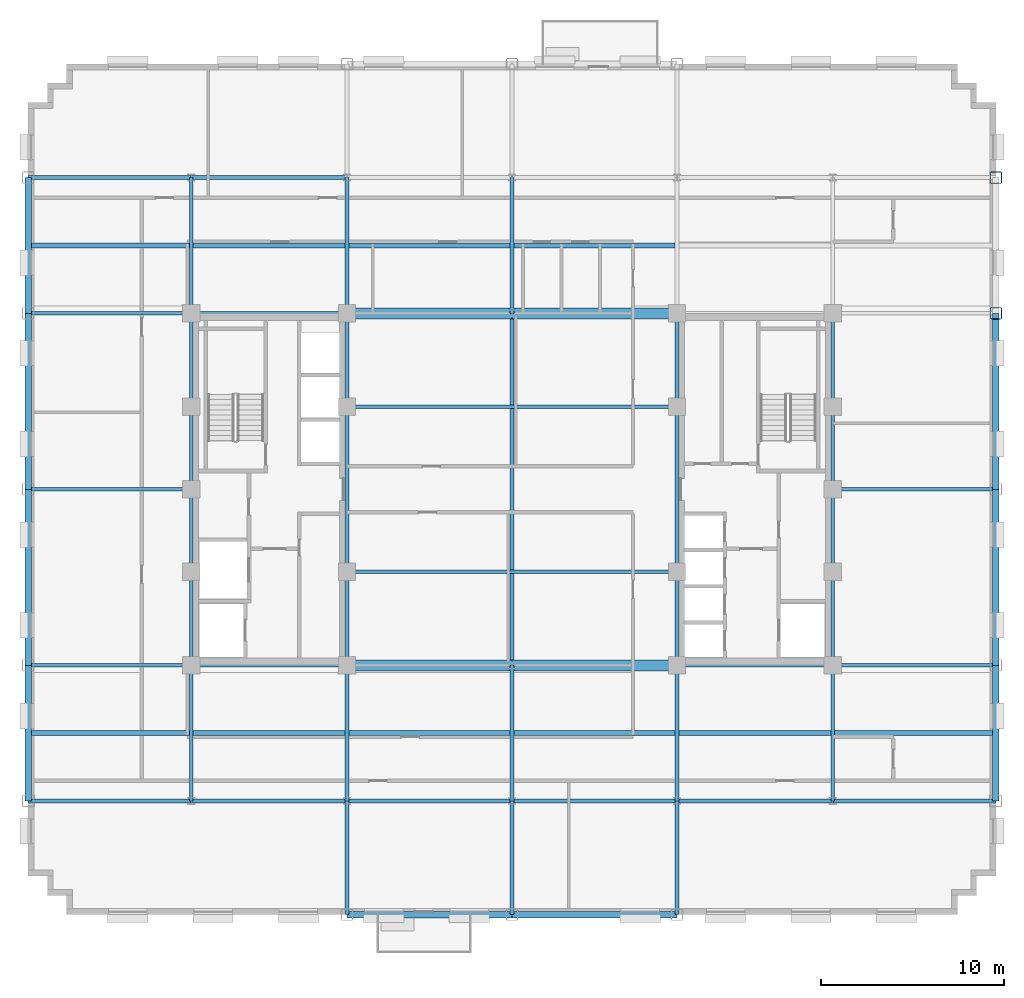
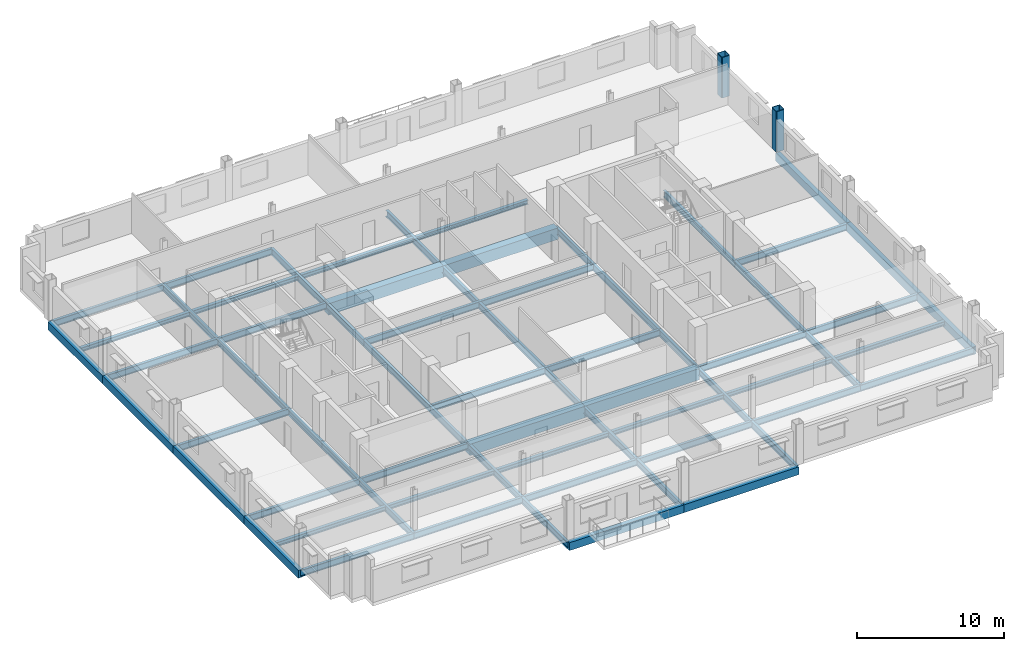
# One storey, part 4 of 14: 67 beams, 2 columns.
"""IFC4 building model written with IfcOpenShell, lengths in metres."""

import ifcopenshell
import ifcopenshell.guid

model = None  # the IFC model being written
_history = None  # IfcOwnerHistory: only IFC2X3 demands one
_inside = {}  # id of a spatial element -> (the spatial element, [elements in it])
_under = {}  # id of a project, library or spatial element -> (it, [spatial elements below it])
_declared = {}  # id of a project -> (the project, [libraries it declares])
_typed = {}  # id of a type object -> (the type object, [elements of that type])
_made_of = {}  # id of a material, layer set ... -> (it, [elements and type objects made of it])


def new_model(schema):
    """Start an empty IFC model of exactly this schema.

    Asked for "IFC4X3", IfcOpenShell would pick the latest addendum, in which some entities
    have other attributes; the version numbers below select the first issue.
    IFC2X3 requires an IfcOwnerHistory on every rooted entity: one is made here for all.
    """
    global model, _history
    if schema == "IFC4X3":
        model = ifcopenshell.file(schema_version=(4, 3, 0, 0))
    else:
        model = ifcopenshell.file(schema=schema)
    _inside.clear()
    _under.clear()
    _declared.clear()
    _typed.clear()
    _made_of.clear()
    _history = None
    if model.schema == "IFC2X3":
        org = make("IfcOrganization", Name="unknown")
        user = make(
            "IfcPersonAndOrganization",
            ThePerson=make("IfcPerson", FamilyName="unknown"),
            TheOrganization=org,
        )
        app = make(
            "IfcApplication",
            ApplicationDeveloper=org,
            Version="unknown",
            ApplicationFullName="unknown",
            ApplicationIdentifier="unknown",
        )
        _history = make(
            "IfcOwnerHistory",
            OwningUser=user,
            OwningApplication=app,
            ChangeAction="ADDED",
            CreationDate=0,
        )
    return model


def make(cls, **values):
    """One entity of the class cls with the attributes given. An attribute that is None is left unset."""
    return model.create_entity(
        cls, **{name: value for name, value in values.items() if value is not None}
    )


def rooted(cls, **values):
    """An entity with a GlobalId (a new one), such as an element, a storey or a relation."""
    return make(cls, GlobalId=ifcopenshell.guid.new(), OwnerHistory=_history, **values)


def si_unit(unit_type, name, prefix=None):
    """IfcSIUnit, for example si_unit("LENGTHUNIT", "METRE", prefix="MILLI")."""
    return make("IfcSIUnit", UnitType=unit_type, Prefix=prefix, Name=name)


def assignment(units):
    """IfcUnitAssignment: the units of a project."""
    return None if units is None else make("IfcUnitAssignment", Units=units)


def point(xyz):
    """IfcCartesianPoint."""
    return None if xyz is None else make("IfcCartesianPoint", Coordinates=xyz)


def direction(xyz):
    """IfcDirection."""
    return None if xyz is None else make("IfcDirection", DirectionRatios=xyz)


def frame(location, z_axis=None, x_axis=None):
    """IfcAxis2Placement3D, a coordinate frame: its origin and axes. An axis left out is left unset."""
    return make(
        "IfcAxis2Placement3D",
        Location=point(location),
        Axis=direction(z_axis),
        RefDirection=direction(x_axis),
    )


def frame_2d(location, x_axis=None):
    """IfcAxis2Placement2D, a coordinate frame in the plane: its origin and x axis."""
    return make(
        "IfcAxis2Placement2D", Location=point(location), RefDirection=direction(x_axis)
    )


def origin():
    """The frame at (0, 0, 0) with its axes left unset."""
    return frame((0.0, 0.0, 0.0))


def origin_2d():
    """The frame at (0, 0) in the plane with its x axis left unset."""
    return frame_2d((0.0, 0.0))


def place(relative_to, where):
    """IfcLocalPlacement: puts the frame where relative to a parent placement (None: the world)."""
    return make(
        "IfcLocalPlacement", PlacementRelTo=relative_to, RelativePlacement=where
    )


def context(
    kind, dimensions, precision=None, world=None, true_north=None, identifier=None
):
    """IfcGeometricRepresentationContext, for example the 3D "Model" context."""
    return make(
        "IfcGeometricRepresentationContext",
        ContextIdentifier=identifier,
        ContextType=kind,
        CoordinateSpaceDimension=dimensions,
        Precision=precision,
        WorldCoordinateSystem=world,
        TrueNorth=true_north,
    )


def subcontext(parent, identifier, kind, view, scale=None):
    """IfcGeometricRepresentationSubContext, for example "Body" below "Model"."""
    return make(
        "IfcGeometricRepresentationSubContext",
        ContextIdentifier=identifier,
        ContextType=kind,
        ParentContext=parent,
        TargetScale=scale,
        TargetView=view,
    )


def project(units=None, contexts=None):
    """IfcProject with its units and contexts."""
    return rooted(
        "IfcProject",
        Name="project",
        RepresentationContexts=contexts,
        UnitsInContext=assignment(units),
    )


def spatial(cls, under=None, at=None, **own):
    """A site, building, storey or space (cls), placed at a placement, below another one or the project."""
    s = rooted(cls, ObjectPlacement=at, **own)
    if under is not None:
        _under.setdefault(under.id(), (under, []))[1].append(s)
    return s


def profile(cls, at=None, kind="AREA", **sizes):
    """A parametric profile (cls). Its sizes go by their IFC names, for example OverallWidth=200.0."""
    return make(cls, ProfileType=kind, Position=at, **sizes)


def rectangle(**sizes):
    """IfcRectangleProfileDef."""
    return profile("IfcRectangleProfileDef", **sizes)


def hollow_rectangle(**sizes):
    """IfcRectangleHollowProfileDef."""
    return profile("IfcRectangleHollowProfileDef", **sizes)


def i_section(**sizes):
    """IfcIShapeProfileDef."""
    return profile("IfcIShapeProfileDef", **sizes)


def extrude(swept, where, along, depth):
    """IfcExtrudedAreaSolid: the profile swept, set in the frame where, extruded along a direction by depth."""
    return make(
        "IfcExtrudedAreaSolid",
        SweptArea=swept,
        Position=where,
        ExtrudedDirection=direction(along),
        Depth=depth,
    )


def shape(context_of_items, identifier, shape_type, items):
    """IfcShapeRepresentation: the items that make up one representation, for example the "Body"."""
    return make(
        "IfcShapeRepresentation",
        ContextOfItems=context_of_items,
        RepresentationIdentifier=identifier,
        RepresentationType=shape_type,
        Items=items,
    )


def material(Name=None, Category=None):
    """IfcMaterial."""
    return make("IfcMaterial", Name=Name, Category=Category)


def material_profile(
    of_material, cross_section, Name=None, Category=None, Priority=None
):
    """IfcMaterialProfile: a cross section and its material."""
    return make(
        "IfcMaterialProfile",
        Name=Name,
        Material=of_material,
        Profile=cross_section,
        Priority=Priority,
        Category=Category,
    )


def profile_set(profiles, Name=None, composite=None):
    """IfcMaterialProfileSet."""
    return make(
        "IfcMaterialProfileSet",
        Name=Name,
        MaterialProfiles=profiles,
        CompositeProfile=composite,
    )


def made_of(thing, what):
    """Note that an element or type object is made of a material, layer set ...; save() writes the relation."""
    if what is not None:
        _made_of.setdefault(what.id(), (what, []))[1].append(thing)
    return thing


def type_object(cls, material=None, **own):
    """A type object (cls), such as IfcWallType, which elements share."""
    return made_of(rooted(cls, **own), material)


def element(
    cls,
    number,
    at=None,
    inside=None,
    cuts=None,
    type_object=None,
    material=None,
    context=None,
    identifier="Body",
    shape_type=None,
    held_by="IfcProductDefinitionShape",
    body=None,
    shapes=None,
    **own,
):
    """One element of the class cls, such as IfcWall. Its Tag is "e" and its number.

    at: its placement. inside: the storey or other place that contains it. cuts: it is an
    opening in that element (IfcRelVoidsElement). A single representation is given by context,
    identifier, shape_type and body (its items); several are given by shapes. held_by: the class
    of the entity that holds the representations. save() writes the other relations.
    """
    e = rooted(cls, Tag="e%d" % number, ObjectPlacement=at, **own)
    if body is not None:
        shapes = [shape(context, identifier, shape_type, body)]
    if shapes is not None:
        e.Representation = make(held_by, Representations=shapes)
    if inside is not None:
        _inside.setdefault(inside.id(), (inside, []))[1].append(e)
    if cuts is not None:
        rooted(
            "IfcRelVoidsElement", RelatingBuildingElement=cuts, RelatedOpeningElement=e
        )
    if type_object is not None:
        _typed.setdefault(type_object.id(), (type_object, []))[1].append(e)
    return made_of(e, material)


def aggregate(whole, parts):
    """IfcRelAggregates: a whole, such as a stair, and the parts it consists of."""
    return rooted("IfcRelAggregates", RelatingObject=whole, RelatedObjects=parts)


def save(model, path):
    """Write the relations noted so far, then the file.

    IfcRelAggregates (storeys below a building ...), IfcRelContainedInSpatialStructure (elements
    in a storey), IfcRelDefinesByType, IfcRelAssociatesMaterial and IfcRelDeclares: one each for
    every whole, place, type object, material and project.
    """
    for whole, parts in _under.values():
        aggregate(whole, parts)
    for where, things in _inside.values():
        rooted(
            "IfcRelContainedInSpatialStructure",
            RelatedElements=things,
            RelatingStructure=where,
        )
    for kind, things in _typed.values():
        rooted("IfcRelDefinesByType", RelatedObjects=things, RelatingType=kind)
    for what, things in _made_of.values():
        rooted("IfcRelAssociatesMaterial", RelatedObjects=things, RelatingMaterial=what)
    for by, libraries in _declared.values():
        rooted("IfcRelDeclares", RelatingContext=by, RelatedDefinitions=libraries)
    model.write(path)


model = new_model("IFC4")

# Units and contexts
model_context = context("Model", 3, precision=1e-05, world=origin(), true_north=direction((0.0, 1.0)))
body_context = subcontext(model_context, "Body", "Model", "MODEL_VIEW")
ifc_project = project(units=[si_unit("LENGTHUNIT", "METRE"), si_unit("AREAUNIT", "SQUARE_METRE"), si_unit("VOLUMEUNIT", "CUBIC_METRE"), si_unit("PLANEANGLEUNIT", "RADIAN"), si_unit("MASSUNIT", "GRAM", prefix="KILO")], contexts=[model_context])

# Site, building, storey
site_placement = place(None, origin())
site = spatial("IfcSite", under=ifc_project, at=site_placement, CompositionType="ELEMENT")
building_placement = place(site_placement, origin())
building = spatial("IfcBuilding", under=site, at=building_placement, Name="Nuvemarco Arch Tower", CompositionType="ELEMENT")
storey_placement = place(building_placement, frame((0.0, 0.0, 145.75)))
storey = spatial("IfcBuildingStorey", under=building, at=storey_placement, Name="L38", CompositionType="ELEMENT", Elevation=145.75)

# Columns
ifc_material_1 = material(Name="Steel S355", Category="steel")
ifc_material_profile_1 = material_profile(ifc_material_1, hollow_rectangle(XDim=0.64990234375, YDim=0.64990234375, WallThickness=0.0400390625, InnerFilletRadius=0.0400390625, OuterFilletRadius=0.080078125, at=origin_2d()), Name="SHS650x650x40")
ifc_profile_set_1 = profile_set([ifc_material_profile_1], Name="Steel S355")
column_type = type_object("IfcColumnType", Name="COL-EXO-650", PredefinedType="COLUMN", material=ifc_profile_set_1)
for number, where, z_axis, x_axis, name in (
    (1, (26.39990234375, 9.60009765625, 0.0), (0.0, 0.0, 1.0), (1.0, 0.0, 0.0), "L38 column CX_+26.4_+9.6"),
    (2, (26.39990234375, 17.0, 0.0), (0.0, 0.0, 1.0), (1.0, 0.0, 0.0), "L38 column CX_+26.4_+17.0"),
):
    element("IfcColumn", number, at=place(storey_placement, frame(where, z_axis=z_axis, x_axis=x_axis)), inside=storey, type_object=column_type, Name=name, PredefinedType="COLUMN", context=body_context, shape_type="SweptSolid", body=[
        extrude(hollow_rectangle(XDim=0.64990234375, YDim=0.64990234375, WallThickness=0.0400390625, InnerFilletRadius=0.0400390625, OuterFilletRadius=0.080078125, at=origin_2d()), origin(), (0.0, 0.0, 1.0), 3.3701171875),
    ])

# Beams
ifc_material_2 = material(Name="Concrete C60/75", Category="concrete")
ifc_material_profile_2 = material_profile(ifc_material_2, rectangle(XDim=0.60009765625, YDim=0.949951171875, at=origin_2d()), Name="RC-BM-600x950")
ifc_profile_set_2 = profile_set([ifc_material_profile_2], Name="Concrete C60/75")
beam_type_1 = type_object("IfcBeamType", Name="BM-COUP-RC", PredefinedType="LINTEL", material=ifc_profile_set_2)
for number, where, z_axis, x_axis, name in (
    (3, (-9.0, -9.60009765625, -0.7548828125), (1.0, 0.0, 0.0), (0.0, 1.0, 0.0), "L38 structural beam BGEW_L38_0_-9.6_-9.0"),
    (4, (0.0, -9.60009765625, -0.7548828125), (1.0, 0.0, 0.0), (0.0, 1.0, 0.0), "L38 structural beam BGEW_L38_0_-9.6_+0.0"),
    (5, (-9.0, 9.60009765625, -0.7548828125), (1.0, 0.0, 0.0), (0.0, 1.0, 0.0), "L38 structural beam BGEW_L38_0_+9.6_-9.0"),
    (6, (0.0, 9.60009765625, -0.7548828125), (1.0, 0.0, 0.0), (0.0, 1.0, 0.0), "L38 structural beam BGEW_L38_0_+9.6_+0.0"),
):
    element("IfcBeam", number, at=place(storey_placement, frame(where, z_axis=z_axis, x_axis=x_axis)), inside=storey, type_object=beam_type_1, Name=name, PredefinedType="LINTEL", context=body_context, shape_type="SweptSolid", body=[
        extrude(rectangle(XDim=0.60009765625, YDim=0.949951171875, at=origin_2d()), origin(), (0.0, 0.0, 1.0), 9.0),
    ])
ifc_material_profile_3 = material_profile(ifc_material_1, i_section(OverallWidth=0.2109375, OverallDepth=0.5390625, WebThickness=0.01171875, FlangeThickness=0.018798828125, FilletRadius=0.01611328125, at=origin_2d()), Name="W530x109")
ifc_profile_set_3 = profile_set([ifc_material_profile_3], Name="Steel S355")
beam_type_2 = type_object("IfcBeamType", Name="BM-GIRD-530", PredefinedType="BEAM", material=ifc_profile_set_3)
beam_1_placement = place(storey_placement, frame((-17.5, -17.0, -0.549560546875), z_axis=(0.0, 1.0, 0.0), x_axis=(-1.0, 0.0, 0.0)))
element("IfcBeam", 7, at=beam_1_placement, inside=storey, type_object=beam_type_2, Name="L38 structural beam BGNS_L38_0_-17.5_-17.0", PredefinedType="BEAM", context=body_context, shape_type="SweptSolid", body=[
    extrude(i_section(OverallWidth=0.2109375, OverallDepth=0.5390625, WebThickness=0.01171875, FlangeThickness=0.018798828125, FilletRadius=0.01611328125, at=origin_2d()), origin(), (0.0, 0.0, 1.0), 7.39990234375),
])
beam_2_placement = place(storey_placement, frame((-17.5, -9.60009765625, -0.549560546875), z_axis=(0.0, 1.0, 0.0), x_axis=(-1.0, 0.0, 0.0)))
element("IfcBeam", 8, at=beam_2_placement, inside=storey, type_object=beam_type_2, Name="L38 structural beam BGNS_L38_0_-17.5_-9.6", PredefinedType="BEAM", context=body_context, shape_type="SweptSolid", body=[
    extrude(i_section(OverallWidth=0.2109375, OverallDepth=0.5390625, WebThickness=0.01171875, FlangeThickness=0.018798828125, FilletRadius=0.01611328125, at=origin_2d()), origin(), (0.0, 0.0, 1.0), 5.10009765625),
])
for number, where, z_axis, x_axis, name in (
    (9, (-17.5, -4.5, -0.549560546875), (0.0, 1.0, 0.0), (-1.0, 0.0, 0.0), "L38 structural beam BGNS_L38_0_-17.5_-4.5"),
    (10, (-17.5, 0.0, -0.549560546875), (0.0, 1.0, 0.0), (-1.0, 0.0, 0.0), "L38 structural beam BGNS_L38_0_-17.5_+0.0"),
):
    element("IfcBeam", number, at=place(storey_placement, frame(where, z_axis=z_axis, x_axis=x_axis)), inside=storey, type_object=beam_type_2, Name=name, PredefinedType="BEAM", context=body_context, shape_type="SweptSolid", body=[
        extrude(i_section(OverallWidth=0.2109375, OverallDepth=0.5390625, WebThickness=0.01171875, FlangeThickness=0.018798828125, FilletRadius=0.01611328125, at=origin_2d()), origin(), (0.0, 0.0, 1.0), 4.5),
    ])
beam_3_placement = place(storey_placement, frame((-17.5, 4.5, -0.549560546875), z_axis=(0.0, 1.0, 0.0), x_axis=(-1.0, 0.0, 0.0)))
element("IfcBeam", 11, at=beam_3_placement, inside=storey, type_object=beam_type_2, Name="L38 structural beam BGNS_L38_0_-17.5_+4.5", PredefinedType="BEAM", context=body_context, shape_type="SweptSolid", body=[
    extrude(i_section(OverallWidth=0.2109375, OverallDepth=0.5390625, WebThickness=0.01171875, FlangeThickness=0.018798828125, FilletRadius=0.01611328125, at=origin_2d()), origin(), (0.0, 0.0, 1.0), 5.10009765625),
])
beam_4_placement = place(storey_placement, frame((-17.5, 9.60009765625, -0.549560546875), z_axis=(0.0, 1.0, 0.0), x_axis=(-1.0, 0.0, 0.0)))
element("IfcBeam", 12, at=beam_4_placement, inside=storey, type_object=beam_type_2, Name="L38 structural beam BGNS_L38_0_-17.5_+9.6", PredefinedType="BEAM", context=body_context, shape_type="SweptSolid", body=[
    extrude(i_section(OverallWidth=0.2109375, OverallDepth=0.5390625, WebThickness=0.01171875, FlangeThickness=0.018798828125, FilletRadius=0.01611328125, at=origin_2d()), origin(), (0.0, 0.0, 1.0), 7.39990234375),
])
beam_5_placement = place(storey_placement, frame((-9.0, -23.199951171875, -0.549560546875), z_axis=(0.0, 1.0, 0.0), x_axis=(-1.0, 0.0, 0.0)))
element("IfcBeam", 13, at=beam_5_placement, inside=storey, type_object=beam_type_2, Name="L38 structural beam BGNS_L38_0_-9.0_-23.2", PredefinedType="BEAM", context=body_context, shape_type="SweptSolid", body=[
    extrude(i_section(OverallWidth=0.2109375, OverallDepth=0.5390625, WebThickness=0.01171875, FlangeThickness=0.018798828125, FilletRadius=0.01611328125, at=origin_2d()), origin(), (0.0, 0.0, 1.0), 6.199951171875),
])
beam_6_placement = place(storey_placement, frame((-9.0, -17.0, -0.549560546875), z_axis=(0.0, 1.0, 0.0), x_axis=(-1.0, 0.0, 0.0)))
element("IfcBeam", 14, at=beam_6_placement, inside=storey, type_object=beam_type_2, Name="L38 structural beam BGNS_L38_0_-9.0_-17.0", PredefinedType="BEAM", context=body_context, shape_type="SweptSolid", body=[
    extrude(i_section(OverallWidth=0.2109375, OverallDepth=0.5390625, WebThickness=0.01171875, FlangeThickness=0.018798828125, FilletRadius=0.01611328125, at=origin_2d()), origin(), (0.0, 0.0, 1.0), 7.39990234375),
])
beam_7_placement = place(storey_placement, frame((-9.0, -9.60009765625, -0.549560546875), z_axis=(0.0, 1.0, 0.0), x_axis=(-1.0, 0.0, 0.0)))
element("IfcBeam", 15, at=beam_7_placement, inside=storey, type_object=beam_type_2, Name="L38 structural beam BGNS_L38_0_-9.0_-9.6", PredefinedType="BEAM", context=body_context, shape_type="SweptSolid", body=[
    extrude(i_section(OverallWidth=0.2109375, OverallDepth=0.5390625, WebThickness=0.01171875, FlangeThickness=0.018798828125, FilletRadius=0.01611328125, at=origin_2d()), origin(), (0.0, 0.0, 1.0), 5.10009765625),
])
beam_8_placement = place(storey_placement, frame((-9.0, -4.5, -0.549560546875), z_axis=(0.0, 1.0, 0.0), x_axis=(-1.0, 0.0, 0.0)))
element("IfcBeam", 16, at=beam_8_placement, inside=storey, type_object=beam_type_2, Name="L38 structural beam BGNS_L38_0_-9.0_-4.5", PredefinedType="BEAM", context=body_context, shape_type="SweptSolid", body=[
    extrude(i_section(OverallWidth=0.2109375, OverallDepth=0.5390625, WebThickness=0.01171875, FlangeThickness=0.018798828125, FilletRadius=0.01611328125, at=origin_2d()), origin(), (0.0, 0.0, 1.0), 9.0),
])
beam_9_placement = place(storey_placement, frame((-9.0, 4.5, -0.549560546875), z_axis=(0.0, 1.0, 0.0), x_axis=(-1.0, 0.0, 0.0)))
element("IfcBeam", 17, at=beam_9_placement, inside=storey, type_object=beam_type_2, Name="L38 structural beam BGNS_L38_0_-9.0_+4.5", PredefinedType="BEAM", context=body_context, shape_type="SweptSolid", body=[
    extrude(i_section(OverallWidth=0.2109375, OverallDepth=0.5390625, WebThickness=0.01171875, FlangeThickness=0.018798828125, FilletRadius=0.01611328125, at=origin_2d()), origin(), (0.0, 0.0, 1.0), 5.10009765625),
])
beam_10_placement = place(storey_placement, frame((-9.0, 9.60009765625, -0.549560546875), z_axis=(0.0, 1.0, 0.0), x_axis=(-1.0, 0.0, 0.0)))
element("IfcBeam", 18, at=beam_10_placement, inside=storey, type_object=beam_type_2, Name="L38 structural beam BGNS_L38_0_-9.0_+9.6", PredefinedType="BEAM", context=body_context, shape_type="SweptSolid", body=[
    extrude(i_section(OverallWidth=0.2109375, OverallDepth=0.5390625, WebThickness=0.01171875, FlangeThickness=0.018798828125, FilletRadius=0.01611328125, at=origin_2d()), origin(), (0.0, 0.0, 1.0), 7.39990234375),
])
beam_11_placement = place(storey_placement, frame((0.0, -23.199951171875, -0.549560546875), z_axis=(0.0, 1.0, 0.0), x_axis=(-1.0, 0.0, 0.0)))
element("IfcBeam", 19, at=beam_11_placement, inside=storey, type_object=beam_type_2, Name="L38 structural beam BGNS_L38_0_+0.0_-23.2", PredefinedType="BEAM", context=body_context, shape_type="SweptSolid", body=[
    extrude(i_section(OverallWidth=0.2109375, OverallDepth=0.5390625, WebThickness=0.01171875, FlangeThickness=0.018798828125, FilletRadius=0.01611328125, at=origin_2d()), origin(), (0.0, 0.0, 1.0), 6.199951171875),
])
beam_12_placement = place(storey_placement, frame((0.0, -17.0, -0.549560546875), z_axis=(0.0, 1.0, 0.0), x_axis=(-1.0, 0.0, 0.0)))
element("IfcBeam", 20, at=beam_12_placement, inside=storey, type_object=beam_type_2, Name="L38 structural beam BGNS_L38_0_+0.0_-17.0", PredefinedType="BEAM", context=body_context, shape_type="SweptSolid", body=[
    extrude(i_section(OverallWidth=0.2109375, OverallDepth=0.5390625, WebThickness=0.01171875, FlangeThickness=0.018798828125, FilletRadius=0.01611328125, at=origin_2d()), origin(), (0.0, 0.0, 1.0), 7.39990234375),
])
beam_13_placement = place(storey_placement, frame((0.0, -9.60009765625, -0.549560546875), z_axis=(0.0, 1.0, 0.0), x_axis=(-1.0, 0.0, 0.0)))
element("IfcBeam", 21, at=beam_13_placement, inside=storey, type_object=beam_type_2, Name="L38 structural beam BGNS_L38_0_+0.0_-9.6", PredefinedType="BEAM", context=body_context, shape_type="SweptSolid", body=[
    extrude(i_section(OverallWidth=0.2109375, OverallDepth=0.5390625, WebThickness=0.01171875, FlangeThickness=0.018798828125, FilletRadius=0.01611328125, at=origin_2d()), origin(), (0.0, 0.0, 1.0), 19.2001953125),
])
beam_14_placement = place(storey_placement, frame((0.0, 9.60009765625, -0.549560546875), z_axis=(0.0, 1.0, 0.0), x_axis=(-1.0, 0.0, 0.0)))
element("IfcBeam", 22, at=beam_14_placement, inside=storey, type_object=beam_type_2, Name="L38 structural beam BGNS_L38_0_+0.0_+9.6", PredefinedType="BEAM", context=body_context, shape_type="SweptSolid", body=[
    extrude(i_section(OverallWidth=0.2109375, OverallDepth=0.5390625, WebThickness=0.01171875, FlangeThickness=0.018798828125, FilletRadius=0.01611328125, at=origin_2d()), origin(), (0.0, 0.0, 1.0), 7.39990234375),
])
beam_15_placement = place(storey_placement, frame((9.0, -23.199951171875, -0.549560546875), z_axis=(0.0, 1.0, 0.0), x_axis=(-1.0, 0.0, 0.0)))
element("IfcBeam", 23, at=beam_15_placement, inside=storey, type_object=beam_type_2, Name="L38 structural beam BGNS_L38_0_+9.0_-23.2", PredefinedType="BEAM", context=body_context, shape_type="SweptSolid", body=[
    extrude(i_section(OverallWidth=0.2109375, OverallDepth=0.5390625, WebThickness=0.01171875, FlangeThickness=0.018798828125, FilletRadius=0.01611328125, at=origin_2d()), origin(), (0.0, 0.0, 1.0), 6.199951171875),
])
beam_16_placement = place(storey_placement, frame((9.0, -17.0, -0.549560546875), z_axis=(0.0, 1.0, 0.0), x_axis=(-1.0, 0.0, 0.0)))
element("IfcBeam", 24, at=beam_16_placement, inside=storey, type_object=beam_type_2, Name="L38 structural beam BGNS_L38_0_+9.0_-17.0", PredefinedType="BEAM", context=body_context, shape_type="SweptSolid", body=[
    extrude(i_section(OverallWidth=0.2109375, OverallDepth=0.5390625, WebThickness=0.01171875, FlangeThickness=0.018798828125, FilletRadius=0.01611328125, at=origin_2d()), origin(), (0.0, 0.0, 1.0), 7.39990234375),
])
beam_17_placement = place(storey_placement, frame((9.0, -9.60009765625, -0.549560546875), z_axis=(0.0, 1.0, 0.0), x_axis=(-1.0, 0.0, 0.0)))
element("IfcBeam", 25, at=beam_17_placement, inside=storey, type_object=beam_type_2, Name="L38 structural beam BGNS_L38_0_+9.0_-9.6", PredefinedType="BEAM", context=body_context, shape_type="SweptSolid", body=[
    extrude(i_section(OverallWidth=0.2109375, OverallDepth=0.5390625, WebThickness=0.01171875, FlangeThickness=0.018798828125, FilletRadius=0.01611328125, at=origin_2d()), origin(), (0.0, 0.0, 1.0), 5.10009765625),
])
beam_18_placement = place(storey_placement, frame((9.0, -4.5, -0.549560546875), z_axis=(0.0, 1.0, 0.0), x_axis=(-1.0, 0.0, 0.0)))
element("IfcBeam", 26, at=beam_18_placement, inside=storey, type_object=beam_type_2, Name="L38 structural beam BGNS_L38_0_+9.0_-4.5", PredefinedType="BEAM", context=body_context, shape_type="SweptSolid", body=[
    extrude(i_section(OverallWidth=0.2109375, OverallDepth=0.5390625, WebThickness=0.01171875, FlangeThickness=0.018798828125, FilletRadius=0.01611328125, at=origin_2d()), origin(), (0.0, 0.0, 1.0), 9.0),
])
beam_19_placement = place(storey_placement, frame((9.0, 4.5, -0.549560546875), z_axis=(0.0, 1.0, 0.0), x_axis=(-1.0, 0.0, 0.0)))
element("IfcBeam", 27, at=beam_19_placement, inside=storey, type_object=beam_type_2, Name="L38 structural beam BGNS_L38_0_+9.0_+4.5", PredefinedType="BEAM", context=body_context, shape_type="SweptSolid", body=[
    extrude(i_section(OverallWidth=0.2109375, OverallDepth=0.5390625, WebThickness=0.01171875, FlangeThickness=0.018798828125, FilletRadius=0.01611328125, at=origin_2d()), origin(), (0.0, 0.0, 1.0), 5.10009765625),
])
beam_20_placement = place(storey_placement, frame((17.5, -17.0, -0.549560546875), z_axis=(0.0, 1.0, 0.0), x_axis=(-1.0, 0.0, 0.0)))
element("IfcBeam", 28, at=beam_20_placement, inside=storey, type_object=beam_type_2, Name="L38 structural beam BGNS_L38_0_+17.5_-17.0", PredefinedType="BEAM", context=body_context, shape_type="SweptSolid", body=[
    extrude(i_section(OverallWidth=0.2109375, OverallDepth=0.5390625, WebThickness=0.01171875, FlangeThickness=0.018798828125, FilletRadius=0.01611328125, at=origin_2d()), origin(), (0.0, 0.0, 1.0), 7.39990234375),
])
beam_21_placement = place(storey_placement, frame((17.5, -9.60009765625, -0.549560546875), z_axis=(0.0, 1.0, 0.0), x_axis=(-1.0, 0.0, 0.0)))
element("IfcBeam", 29, at=beam_21_placement, inside=storey, type_object=beam_type_2, Name="L38 structural beam BGNS_L38_0_+17.5_-9.6", PredefinedType="BEAM", context=body_context, shape_type="SweptSolid", body=[
    extrude(i_section(OverallWidth=0.2109375, OverallDepth=0.5390625, WebThickness=0.01171875, FlangeThickness=0.018798828125, FilletRadius=0.01611328125, at=origin_2d()), origin(), (0.0, 0.0, 1.0), 5.10009765625),
])
for number, where, z_axis, x_axis, name in (
    (30, (17.5, -4.5, -0.549560546875), (0.0, 1.0, 0.0), (-1.0, 0.0, 0.0), "L38 structural beam BGNS_L38_0_+17.5_-4.5"),
    (31, (17.5, 0.0, -0.549560546875), (0.0, 1.0, 0.0), (-1.0, 0.0, 0.0), "L38 structural beam BGNS_L38_0_+17.5_+0.0"),
):
    element("IfcBeam", number, at=place(storey_placement, frame(where, z_axis=z_axis, x_axis=x_axis)), inside=storey, type_object=beam_type_2, Name=name, PredefinedType="BEAM", context=body_context, shape_type="SweptSolid", body=[
        extrude(i_section(OverallWidth=0.2109375, OverallDepth=0.5390625, WebThickness=0.01171875, FlangeThickness=0.018798828125, FilletRadius=0.01611328125, at=origin_2d()), origin(), (0.0, 0.0, 1.0), 4.5),
    ])
beam_22_placement = place(storey_placement, frame((17.5, 4.5, -0.549560546875), z_axis=(0.0, 1.0, 0.0), x_axis=(-1.0, 0.0, 0.0)))
element("IfcBeam", 32, at=beam_22_placement, inside=storey, type_object=beam_type_2, Name="L38 structural beam BGNS_L38_0_+17.5_+4.5", PredefinedType="BEAM", context=body_context, shape_type="SweptSolid", body=[
    extrude(i_section(OverallWidth=0.2109375, OverallDepth=0.5390625, WebThickness=0.01171875, FlangeThickness=0.018798828125, FilletRadius=0.01611328125, at=origin_2d()), origin(), (0.0, 0.0, 1.0), 5.10009765625),
])
beam_23_placement = place(storey_placement, frame((-26.39990234375, -17.0, -0.549560546875), z_axis=(1.0, 0.0, 0.0), x_axis=(0.0, 1.0, 0.0)))
element("IfcBeam", 33, at=beam_23_placement, inside=storey, type_object=beam_type_2, Name="L38 structural beam BGEW_L38_0_-17.0_-26.4", PredefinedType="BEAM", context=body_context, shape_type="SweptSolid", body=[
    extrude(i_section(OverallWidth=0.2109375, OverallDepth=0.5390625, WebThickness=0.01171875, FlangeThickness=0.018798828125, FilletRadius=0.01611328125, at=origin_2d()), origin(), (0.0, 0.0, 1.0), 8.89990234375),
])
beam_24_placement = place(storey_placement, frame((-17.5, -17.0, -0.549560546875), z_axis=(1.0, 0.0, 0.0), x_axis=(0.0, 1.0, 0.0)))
element("IfcBeam", 34, at=beam_24_placement, inside=storey, type_object=beam_type_2, Name="L38 structural beam BGEW_L38_0_-17.0_-17.5", PredefinedType="BEAM", context=body_context, shape_type="SweptSolid", body=[
    extrude(i_section(OverallWidth=0.2109375, OverallDepth=0.5390625, WebThickness=0.01171875, FlangeThickness=0.018798828125, FilletRadius=0.01611328125, at=origin_2d()), origin(), (0.0, 0.0, 1.0), 8.5),
])
for number, where, z_axis, x_axis, name in (
    (35, (-9.0, -17.0, -0.549560546875), (1.0, 0.0, 0.0), (0.0, 1.0, 0.0), "L38 structural beam BGEW_L38_0_-17.0_-9.0"),
    (36, (0.0, -17.0, -0.549560546875), (1.0, 0.0, 0.0), (0.0, 1.0, 0.0), "L38 structural beam BGEW_L38_0_-17.0_+0.0"),
):
    element("IfcBeam", number, at=place(storey_placement, frame(where, z_axis=z_axis, x_axis=x_axis)), inside=storey, type_object=beam_type_2, Name=name, PredefinedType="BEAM", context=body_context, shape_type="SweptSolid", body=[
        extrude(i_section(OverallWidth=0.2109375, OverallDepth=0.5390625, WebThickness=0.01171875, FlangeThickness=0.018798828125, FilletRadius=0.01611328125, at=origin_2d()), origin(), (0.0, 0.0, 1.0), 9.0),
    ])
beam_25_placement = place(storey_placement, frame((9.0, -17.0, -0.549560546875), z_axis=(1.0, 0.0, 0.0), x_axis=(0.0, 1.0, 0.0)))
element("IfcBeam", 37, at=beam_25_placement, inside=storey, type_object=beam_type_2, Name="L38 structural beam BGEW_L38_0_-17.0_+9.0", PredefinedType="BEAM", context=body_context, shape_type="SweptSolid", body=[
    extrude(i_section(OverallWidth=0.2109375, OverallDepth=0.5390625, WebThickness=0.01171875, FlangeThickness=0.018798828125, FilletRadius=0.01611328125, at=origin_2d()), origin(), (0.0, 0.0, 1.0), 8.5),
])
for number, where, z_axis, x_axis, name in (
    (38, (17.5, -17.0, -0.549560546875), (1.0, 0.0, 0.0), (0.0, 1.0, 0.0), "L38 structural beam BGEW_L38_0_-17.0_+17.5"),
    (39, (-26.39990234375, -9.60009765625, -0.549560546875), (1.0, 0.0, 0.0), (0.0, 1.0, 0.0), "L38 structural beam BGEW_L38_0_-9.6_-26.4"),
):
    element("IfcBeam", number, at=place(storey_placement, frame(where, z_axis=z_axis, x_axis=x_axis)), inside=storey, type_object=beam_type_2, Name=name, PredefinedType="BEAM", context=body_context, shape_type="SweptSolid", body=[
        extrude(i_section(OverallWidth=0.2109375, OverallDepth=0.5390625, WebThickness=0.01171875, FlangeThickness=0.018798828125, FilletRadius=0.01611328125, at=origin_2d()), origin(), (0.0, 0.0, 1.0), 8.89990234375),
    ])
for number, where, z_axis, x_axis, name in (
    (40, (-17.5, -9.60009765625, -0.549560546875), (1.0, 0.0, 0.0), (0.0, 1.0, 0.0), "L38 structural beam BGEW_L38_0_-9.6_-17.5"),
    (41, (9.0, -9.60009765625, -0.549560546875), (1.0, 0.0, 0.0), (0.0, 1.0, 0.0), "L38 structural beam BGEW_L38_0_-9.6_+9.0"),
):
    element("IfcBeam", number, at=place(storey_placement, frame(where, z_axis=z_axis, x_axis=x_axis)), inside=storey, type_object=beam_type_2, Name=name, PredefinedType="BEAM", context=body_context, shape_type="SweptSolid", body=[
        extrude(i_section(OverallWidth=0.2109375, OverallDepth=0.5390625, WebThickness=0.01171875, FlangeThickness=0.018798828125, FilletRadius=0.01611328125, at=origin_2d()), origin(), (0.0, 0.0, 1.0), 8.5),
    ])
beam_26_placement = place(storey_placement, frame((17.5, -9.60009765625, -0.549560546875), z_axis=(1.0, 0.0, 0.0), x_axis=(0.0, 1.0, 0.0)))
element("IfcBeam", 42, at=beam_26_placement, inside=storey, type_object=beam_type_2, Name="L38 structural beam BGEW_L38_0_-9.6_+17.5", PredefinedType="BEAM", context=body_context, shape_type="SweptSolid", body=[
    extrude(i_section(OverallWidth=0.2109375, OverallDepth=0.5390625, WebThickness=0.01171875, FlangeThickness=0.018798828125, FilletRadius=0.01611328125, at=origin_2d()), origin(), (0.0, 0.0, 1.0), 8.89990234375),
])
beam_27_placement = place(storey_placement, frame((-9.0, -4.5, -0.549560546875), z_axis=(1.0, 0.0, 0.0), x_axis=(0.0, 1.0, 0.0)))
element("IfcBeam", 43, at=beam_27_placement, inside=storey, type_object=beam_type_2, Name="L38 structural beam BGEW_L38_0_-4.5_-9.0", PredefinedType="BEAM", context=body_context, shape_type="SweptSolid", body=[
    extrude(i_section(OverallWidth=0.2109375, OverallDepth=0.5390625, WebThickness=0.01171875, FlangeThickness=0.018798828125, FilletRadius=0.01611328125, at=origin_2d()), origin(), (0.0, 0.0, 1.0), 18.0),
])
for number, where, z_axis, x_axis, name in (
    (44, (-26.39990234375, 0.0, -0.549560546875), (1.0, 0.0, 0.0), (0.0, 1.0, 0.0), "L38 structural beam BGEW_L38_0_+0.0_-26.4"),
    (45, (17.5, 0.0, -0.549560546875), (1.0, 0.0, 0.0), (0.0, 1.0, 0.0), "L38 structural beam BGEW_L38_0_+0.0_+17.5"),
):
    element("IfcBeam", number, at=place(storey_placement, frame(where, z_axis=z_axis, x_axis=x_axis)), inside=storey, type_object=beam_type_2, Name=name, PredefinedType="BEAM", context=body_context, shape_type="SweptSolid", body=[
        extrude(i_section(OverallWidth=0.2109375, OverallDepth=0.5390625, WebThickness=0.01171875, FlangeThickness=0.018798828125, FilletRadius=0.01611328125, at=origin_2d()), origin(), (0.0, 0.0, 1.0), 8.89990234375),
    ])
beam_28_placement = place(storey_placement, frame((-9.0, 4.5, -0.549560546875), z_axis=(1.0, 0.0, 0.0), x_axis=(0.0, 1.0, 0.0)))
element("IfcBeam", 46, at=beam_28_placement, inside=storey, type_object=beam_type_2, Name="L38 structural beam BGEW_L38_0_+4.5_-9.0", PredefinedType="BEAM", context=body_context, shape_type="SweptSolid", body=[
    extrude(i_section(OverallWidth=0.2109375, OverallDepth=0.5390625, WebThickness=0.01171875, FlangeThickness=0.018798828125, FilletRadius=0.01611328125, at=origin_2d()), origin(), (0.0, 0.0, 1.0), 18.0),
])
beam_29_placement = place(storey_placement, frame((-26.39990234375, 9.60009765625, -0.549560546875), z_axis=(1.0, 0.0, 0.0), x_axis=(0.0, 1.0, 0.0)))
element("IfcBeam", 47, at=beam_29_placement, inside=storey, type_object=beam_type_2, Name="L38 structural beam BGEW_L38_0_+9.6_-26.4", PredefinedType="BEAM", context=body_context, shape_type="SweptSolid", body=[
    extrude(i_section(OverallWidth=0.2109375, OverallDepth=0.5390625, WebThickness=0.01171875, FlangeThickness=0.018798828125, FilletRadius=0.01611328125, at=origin_2d()), origin(), (0.0, 0.0, 1.0), 8.89990234375),
])
beam_30_placement = place(storey_placement, frame((-17.5, 9.60009765625, -0.549560546875), z_axis=(1.0, 0.0, 0.0), x_axis=(0.0, 1.0, 0.0)))
element("IfcBeam", 48, at=beam_30_placement, inside=storey, type_object=beam_type_2, Name="L38 structural beam BGEW_L38_0_+9.6_-17.5", PredefinedType="BEAM", context=body_context, shape_type="SweptSolid", body=[
    extrude(i_section(OverallWidth=0.2109375, OverallDepth=0.5390625, WebThickness=0.01171875, FlangeThickness=0.018798828125, FilletRadius=0.01611328125, at=origin_2d()), origin(), (0.0, 0.0, 1.0), 8.5),
])
beam_31_placement = place(storey_placement, frame((-26.39990234375, 17.0, -0.549560546875), z_axis=(1.0, 0.0, 0.0), x_axis=(0.0, 1.0, 0.0)))
element("IfcBeam", 49, at=beam_31_placement, inside=storey, type_object=beam_type_2, Name="L38 structural beam BGEW_L38_0_+17.0_-26.4", PredefinedType="BEAM", context=body_context, shape_type="SweptSolid", body=[
    extrude(i_section(OverallWidth=0.2109375, OverallDepth=0.5390625, WebThickness=0.01171875, FlangeThickness=0.018798828125, FilletRadius=0.01611328125, at=origin_2d()), origin(), (0.0, 0.0, 1.0), 8.89990234375),
])
beam_32_placement = place(storey_placement, frame((-17.5, 17.0, -0.549560546875), z_axis=(1.0, 0.0, 0.0), x_axis=(0.0, 1.0, 0.0)))
element("IfcBeam", 50, at=beam_32_placement, inside=storey, type_object=beam_type_2, Name="L38 structural beam BGEW_L38_0_+17.0_-17.5", PredefinedType="BEAM", context=body_context, shape_type="SweptSolid", body=[
    extrude(i_section(OverallWidth=0.2109375, OverallDepth=0.5390625, WebThickness=0.01171875, FlangeThickness=0.018798828125, FilletRadius=0.01611328125, at=origin_2d()), origin(), (0.0, 0.0, 1.0), 8.5),
])
ifc_material_profile_4 = material_profile(ifc_material_1, i_section(OverallWidth=0.2548828125, OverallDepth=0.35693359375, WebThickness=0.010498046875, FlangeThickness=0.018310546875, FilletRadius=0.014892578125, at=origin_2d()), Name="W360x101")
ifc_profile_set_4 = profile_set([ifc_material_profile_4], Name="Steel S355")
beam_type_3 = type_object("IfcBeamType", Name="BM-JOIST-360H", PredefinedType="JOIST", material=ifc_profile_set_4)
beam_33_placement = place(storey_placement, frame((-26.22509765625, -13.300048828125, -0.45849609375), z_axis=(1.0, 0.0, 0.0), x_axis=(0.0, 1.0, 0.0)))
element("IfcBeam", 51, at=beam_33_placement, inside=storey, type_object=beam_type_3, Name="L38 structural beam BJ_L38_0_-13.3_-26.4", PredefinedType="JOIST", context=body_context, shape_type="SweptSolid", body=[
    extrude(i_section(OverallWidth=0.2548828125, OverallDepth=0.35693359375, WebThickness=0.010498046875, FlangeThickness=0.018310546875, FilletRadius=0.014892578125, at=origin_2d()), origin(), (0.0, 0.0, 1.0), 8.61962890625),
])
beam_34_placement = place(storey_placement, frame((-17.39453125, -13.300048828125, -0.45849609375), z_axis=(1.0, 0.0, 0.0), x_axis=(0.0, 1.0, 0.0)))
element("IfcBeam", 52, at=beam_34_placement, inside=storey, type_object=beam_type_3, Name="L38 structural beam BJ_L38_0_-13.3_-17.5", PredefinedType="JOIST", context=body_context, shape_type="SweptSolid", body=[
    extrude(i_section(OverallWidth=0.2548828125, OverallDepth=0.35693359375, WebThickness=0.010498046875, FlangeThickness=0.018310546875, FilletRadius=0.014892578125, at=origin_2d()), origin(), (0.0, 0.0, 1.0), 8.2890625),
])
for number, where, z_axis, x_axis, name in (
    (53, (-8.89453125, -13.300048828125, -0.45849609375), (1.0, 0.0, 0.0), (0.0, 1.0, 0.0), "L38 structural beam BJ_L38_0_-13.3_-9.0"),
    (54, (0.10546875, -13.300048828125, -0.45849609375), (1.0, 0.0, 0.0), (0.0, 1.0, 0.0), "L38 structural beam BJ_L38_0_-13.3_+0.0"),
):
    element("IfcBeam", number, at=place(storey_placement, frame(where, z_axis=z_axis, x_axis=x_axis)), inside=storey, type_object=beam_type_3, Name=name, PredefinedType="JOIST", context=body_context, shape_type="SweptSolid", body=[
        extrude(i_section(OverallWidth=0.2548828125, OverallDepth=0.35693359375, WebThickness=0.010498046875, FlangeThickness=0.018310546875, FilletRadius=0.014892578125, at=origin_2d()), origin(), (0.0, 0.0, 1.0), 8.7890625),
    ])
beam_35_placement = place(storey_placement, frame((9.10546875, -13.300048828125, -0.45849609375), z_axis=(1.0, 0.0, 0.0), x_axis=(0.0, 1.0, 0.0)))
element("IfcBeam", 55, at=beam_35_placement, inside=storey, type_object=beam_type_3, Name="L38 structural beam BJ_L38_0_-13.3_+9.0", PredefinedType="JOIST", context=body_context, shape_type="SweptSolid", body=[
    extrude(i_section(OverallWidth=0.2548828125, OverallDepth=0.35693359375, WebThickness=0.010498046875, FlangeThickness=0.018310546875, FilletRadius=0.014892578125, at=origin_2d()), origin(), (0.0, 0.0, 1.0), 8.2890625),
])
for number, where, z_axis, x_axis, name in (
    (56, (17.60546875, -13.300048828125, -0.45849609375), (1.0, 0.0, 0.0), (0.0, 1.0, 0.0), "L38 structural beam BJ_L38_0_-13.3_+17.5"),
    (57, (-26.22509765625, 13.300048828125, -0.45849609375), (1.0, 0.0, 0.0), (0.0, 1.0, 0.0), "L38 structural beam BJ_L38_0_+13.3_-26.4"),
):
    element("IfcBeam", number, at=place(storey_placement, frame(where, z_axis=z_axis, x_axis=x_axis)), inside=storey, type_object=beam_type_3, Name=name, PredefinedType="JOIST", context=body_context, shape_type="SweptSolid", body=[
        extrude(i_section(OverallWidth=0.2548828125, OverallDepth=0.35693359375, WebThickness=0.010498046875, FlangeThickness=0.018310546875, FilletRadius=0.014892578125, at=origin_2d()), origin(), (0.0, 0.0, 1.0), 8.61962890625),
    ])
beam_36_placement = place(storey_placement, frame((-17.39453125, 13.300048828125, -0.45849609375), z_axis=(1.0, 0.0, 0.0), x_axis=(0.0, 1.0, 0.0)))
element("IfcBeam", 58, at=beam_36_placement, inside=storey, type_object=beam_type_3, Name="L38 structural beam BJ_L38_0_+13.3_-17.5", PredefinedType="JOIST", context=body_context, shape_type="SweptSolid", body=[
    extrude(i_section(OverallWidth=0.2548828125, OverallDepth=0.35693359375, WebThickness=0.010498046875, FlangeThickness=0.018310546875, FilletRadius=0.014892578125, at=origin_2d()), origin(), (0.0, 0.0, 1.0), 8.2890625),
])
for number, where, z_axis, x_axis, name in (
    (59, (-8.89453125, 13.300048828125, -0.45849609375), (1.0, 0.0, 0.0), (0.0, 1.0, 0.0), "L38 structural beam BJ_L38_0_+13.3_-9.0"),
    (60, (0.10546875, 13.300048828125, -0.45849609375), (1.0, 0.0, 0.0), (0.0, 1.0, 0.0), "L38 structural beam BJ_L38_0_+13.3_+0.0"),
):
    element("IfcBeam", number, at=place(storey_placement, frame(where, z_axis=z_axis, x_axis=x_axis)), inside=storey, type_object=beam_type_3, Name=name, PredefinedType="JOIST", context=body_context, shape_type="SweptSolid", body=[
        extrude(i_section(OverallWidth=0.2548828125, OverallDepth=0.35693359375, WebThickness=0.010498046875, FlangeThickness=0.018310546875, FilletRadius=0.014892578125, at=origin_2d()), origin(), (0.0, 0.0, 1.0), 8.7890625),
    ])
ifc_material_3 = material(Name="Precast concrete C45/55", Category="concrete")
ifc_material_profile_5 = material_profile(ifc_material_3, rectangle(XDim=0.35009765625, YDim=0.64990234375, at=origin_2d()), Name="PC-SP-350x650")
ifc_profile_set_5 = profile_set([ifc_material_profile_5], Name="Precast concrete C45/55")
beam_type_4 = type_object("IfcBeamType", Name="BM-SPAN-RC", PredefinedType="SPANDREL", material=ifc_profile_set_5)
beam_37_placement = place(storey_placement, frame((-26.39990234375, -17.0, -0.60498046875), z_axis=(0.0, 1.0, 0.0), x_axis=(-1.0, 0.0, 0.0)))
element("IfcBeam", 61, at=beam_37_placement, inside=storey, type_object=beam_type_4, Name="L38 structural beam BGNS_L38_0_-26.4_-17.0", PredefinedType="SPANDREL", context=body_context, shape_type="SweptSolid", body=[
    extrude(rectangle(XDim=0.35009765625, YDim=0.64990234375, at=origin_2d()), origin(), (0.0, 0.0, 1.0), 7.39990234375),
])
for number, where, z_axis, x_axis, name in (
    (62, (-26.39990234375, -9.60009765625, -0.60498046875), (0.0, 1.0, 0.0), (-1.0, 0.0, 0.0), "L38 structural beam BGNS_L38_0_-26.4_-9.6"),
    (63, (-26.39990234375, 0.0, -0.60498046875), (0.0, 1.0, 0.0), (-1.0, 0.0, 0.0), "L38 structural beam BGNS_L38_0_-26.4_+0.0"),
):
    element("IfcBeam", number, at=place(storey_placement, frame(where, z_axis=z_axis, x_axis=x_axis)), inside=storey, type_object=beam_type_4, Name=name, PredefinedType="SPANDREL", context=body_context, shape_type="SweptSolid", body=[
        extrude(rectangle(XDim=0.35009765625, YDim=0.64990234375, at=origin_2d()), origin(), (0.0, 0.0, 1.0), 9.60009765625),
    ])
for number, where, z_axis, x_axis, name in (
    (64, (-26.39990234375, 9.60009765625, -0.60498046875), (0.0, 1.0, 0.0), (-1.0, 0.0, 0.0), "L38 structural beam BGNS_L38_0_-26.4_+9.6"),
    (65, (26.39990234375, -17.0, -0.60498046875), (0.0, 1.0, 0.0), (-1.0, 0.0, 0.0), "L38 structural beam BGNS_L38_0_+26.4_-17.0"),
):
    element("IfcBeam", number, at=place(storey_placement, frame(where, z_axis=z_axis, x_axis=x_axis)), inside=storey, type_object=beam_type_4, Name=name, PredefinedType="SPANDREL", context=body_context, shape_type="SweptSolid", body=[
        extrude(rectangle(XDim=0.35009765625, YDim=0.64990234375, at=origin_2d()), origin(), (0.0, 0.0, 1.0), 7.39990234375),
    ])
for number, where, z_axis, x_axis, name in (
    (66, (26.39990234375, -9.60009765625, -0.60498046875), (0.0, 1.0, 0.0), (-1.0, 0.0, 0.0), "L38 structural beam BGNS_L38_0_+26.4_-9.6"),
    (67, (26.39990234375, 0.0, -0.60498046875), (0.0, 1.0, 0.0), (-1.0, 0.0, 0.0), "L38 structural beam BGNS_L38_0_+26.4_+0.0"),
):
    element("IfcBeam", number, at=place(storey_placement, frame(where, z_axis=z_axis, x_axis=x_axis)), inside=storey, type_object=beam_type_4, Name=name, PredefinedType="SPANDREL", context=body_context, shape_type="SweptSolid", body=[
        extrude(rectangle(XDim=0.35009765625, YDim=0.64990234375, at=origin_2d()), origin(), (0.0, 0.0, 1.0), 9.60009765625),
    ])
for number, where, z_axis, x_axis, name in (
    (68, (-9.0, -23.199951171875, -0.60498046875), (1.0, 0.0, 0.0), (0.0, 1.0, 0.0), "L38 structural beam BGEW_L38_0_-23.2_-9.0"),
    (69, (0.0, -23.199951171875, -0.60498046875), (1.0, 0.0, 0.0), (0.0, 1.0, 0.0), "L38 structural beam BGEW_L38_0_-23.2_+0.0"),
):
    element("IfcBeam", number, at=place(storey_placement, frame(where, z_axis=z_axis, x_axis=x_axis)), inside=storey, type_object=beam_type_4, Name=name, PredefinedType="SPANDREL", context=body_context, shape_type="SweptSolid", body=[
        extrude(rectangle(XDim=0.35009765625, YDim=0.64990234375, at=origin_2d()), origin(), (0.0, 0.0, 1.0), 9.0),
    ])

save(model, "model.ifc")
